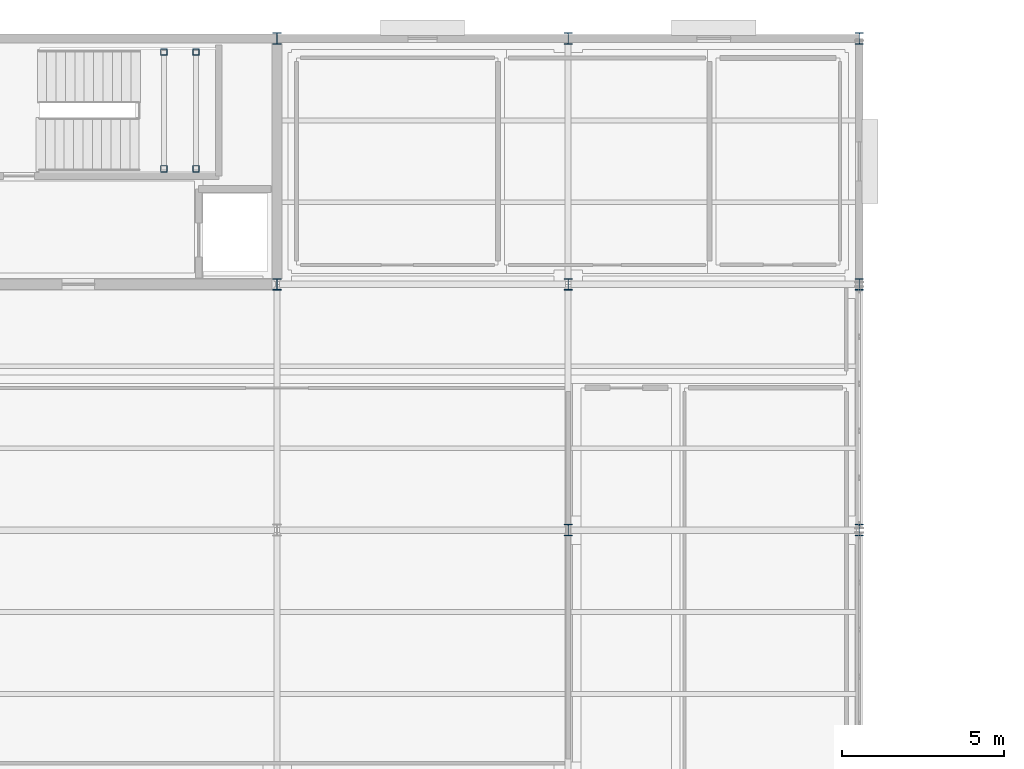
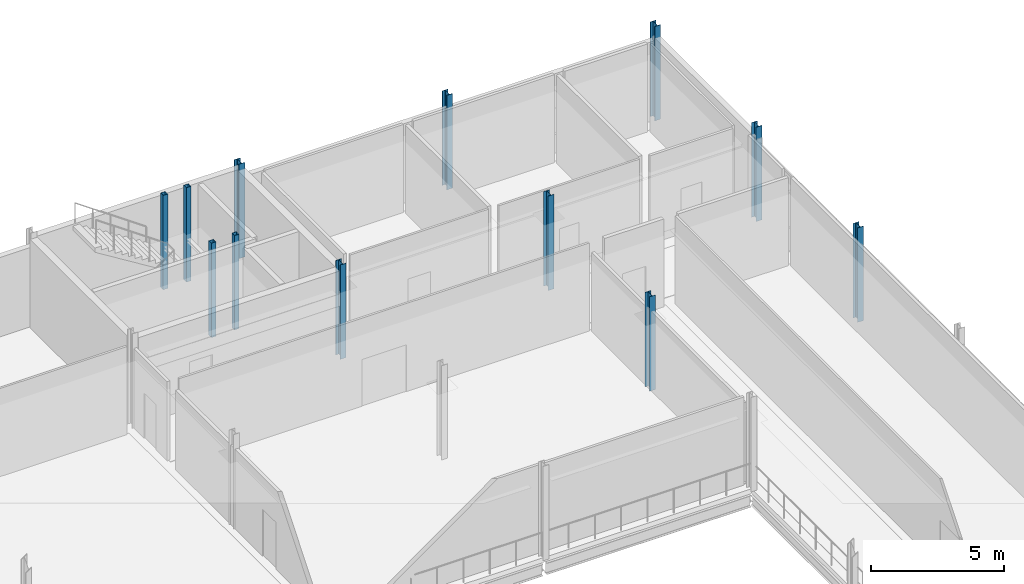
# One storey, part 27 of 174: 12 columns.
"""IFC4 building model written with IfcOpenShell, lengths in metres."""

from ifc_helpers import new_model, si_unit, direction, frame, origin, origin_2d, place, context, subcontext, project, spatial, hollow_rectangle, i_section, extrude, material, material_profile, profile_set, type_object, element, save


model = new_model("IFC4")

# Units and contexts
model_context = context("Model", 3, precision=1e-05, world=origin(), true_north=direction((0.0, 1.0)))
body_context = subcontext(model_context, "Body", "Model", "MODEL_VIEW")
ifc_project = project(units=[si_unit("LENGTHUNIT", "METRE"), si_unit("AREAUNIT", "SQUARE_METRE"), si_unit("VOLUMEUNIT", "CUBIC_METRE"), si_unit("PLANEANGLEUNIT", "RADIAN"), si_unit("MASSUNIT", "GRAM", prefix="KILO")], contexts=[model_context])

# Site, building, storey
site_placement = place(None, origin())
site = spatial("IfcSite", under=ifc_project, at=site_placement, CompositionType="ELEMENT")
building_placement = place(site_placement, origin())
building = spatial("IfcBuilding", under=site, at=building_placement, Name="Caisbarro Railhouse Central Library", CompositionType="ELEMENT")
storey_placement = place(building_placement, frame((0.0, 0.0, 5.0400390625)))
storey = spatial("IfcBuildingStorey", under=building, at=storey_placement, Name="L01", CompositionType="ELEMENT", Elevation=5.0400390625)

# Columns
ifc_material = material(Name="Steel ASTM A572 Grade 50", Category="steel")
ifc_material_profile_1 = material_profile(ifc_material, i_section(OverallWidth=0.25390625, OverallDepth=0.35302734375, WebThickness=0.009521484375, FlangeThickness=0.016357421875, FilletRadius=0.014892578125, at=origin_2d()), Name="W360X91.0")
ifc_profile_set_1 = profile_set([ifc_material_profile_1], Name="Steel ASTM A572 Grade 50")
column_type_1 = type_object("IfcColumnType", Name="COL-C05", PredefinedType="COLUMN", material=ifc_profile_set_1)
for number, where, z_axis, x_axis, name in (
    (1, (135.0, 106.39990234375, 0.0), (0.0, 0.0, 1.0), (1.0, 0.0, 0.0), "C05 column L01 (135.0,106.4)"),
    (2, (135.0, 114.0, 0.0), (0.0, 0.0, 1.0), (1.0, 0.0, 0.0), "C05 column L01 (135.0,114.0)"),
    (3, (144.0, 98.800048828125, 0.0), (0.0, 0.0, 1.0), (1.0, 0.0, 0.0), "C05 column L01 (144.0,98.8)"),
    (4, (144.0, 106.39990234375, 0.0), (0.0, 0.0, 1.0), (1.0, 0.0, 0.0), "C05 column L01 (144.0,106.4)"),
    (5, (144.0, 114.0, 0.0), (0.0, 0.0, 1.0), (1.0, 0.0, 0.0), "C05 column L01 (144.0,114.0)"),
    (6, (153.0, 98.800048828125, 0.0), (0.0, 0.0, 1.0), (1.0, 0.0, 0.0), "C05 column L01 (153.0,98.8)"),
    (7, (153.0, 106.39990234375, 0.0), (0.0, 0.0, 1.0), (1.0, 0.0, 0.0), "C05 column L01 (153.0,106.4)"),
    (8, (153.0, 114.0, 0.0), (0.0, 0.0, 1.0), (1.0, 0.0, 0.0), "C05 column L01 (153.0,114.0)"),
):
    element("IfcColumn", number, at=place(storey_placement, frame(where, z_axis=z_axis, x_axis=x_axis)), inside=storey, type_object=column_type_1, Name=name, PredefinedType="COLUMN", context=body_context, shape_type="SweptSolid", body=[
        extrude(i_section(OverallWidth=0.25390625, OverallDepth=0.35302734375, WebThickness=0.009521484375, FlangeThickness=0.016357421875, FilletRadius=0.014892578125, at=origin_2d()), origin(), (0.0, 0.0, 1.0), 4.320068359375),
    ])
ifc_material_profile_2 = material_profile(ifc_material, hollow_rectangle(XDim=0.199951171875, YDim=0.199951171875, WallThickness=0.012451171875, at=origin_2d()), Name="HSS200X200X12.5")
ifc_profile_set_2 = profile_set([ifc_material_profile_2], Name="Steel ASTM A572 Grade 50")
column_type_2 = type_object("IfcColumnType", Name="COL-C10", PredefinedType="COLUMN", material=ifc_profile_set_2)
for number, where, z_axis, x_axis, name in (
    (9, (131.5, 109.969970703125, 0.0), (0.0, 0.0, 1.0), (1.0, 0.0, 0.0), "C10 Stair Landing Post K3 L01.1"),
    (10, (131.5, 113.580078125, 0.0), (0.0, 0.0, 1.0), (1.0, 0.0, 0.0), "C10 Stair Landing Post K3 L01.2"),
    (11, (132.5, 109.969970703125, 0.0), (0.0, 0.0, 1.0), (1.0, 0.0, 0.0), "C10 Stair Landing Post K3 L01.3"),
    (12, (132.5, 113.580078125, 0.0), (0.0, 0.0, 1.0), (1.0, 0.0, 0.0), "C10 Stair Landing Post K3 L01.4"),
):
    element("IfcColumn", number, at=place(storey_placement, frame(where, z_axis=z_axis, x_axis=x_axis)), inside=storey, type_object=column_type_2, Name=name, PredefinedType="COLUMN", context=body_context, shape_type="SweptSolid", body=[
        extrude(hollow_rectangle(XDim=0.199951171875, YDim=0.199951171875, WallThickness=0.012451171875, at=origin_2d()), origin(), (0.0, 0.0, 1.0), 4.320068359375),
    ])

save(model, "model.ifc")
